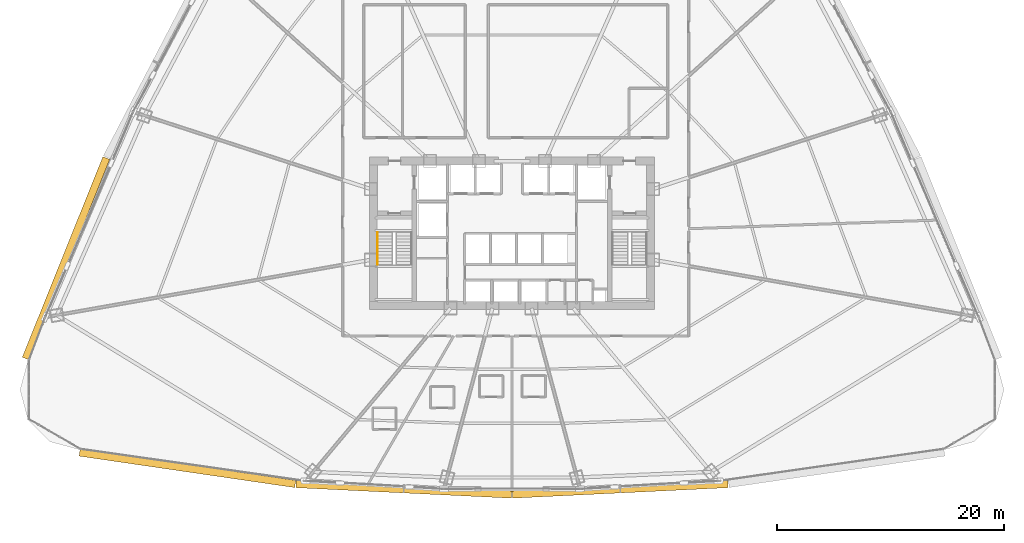
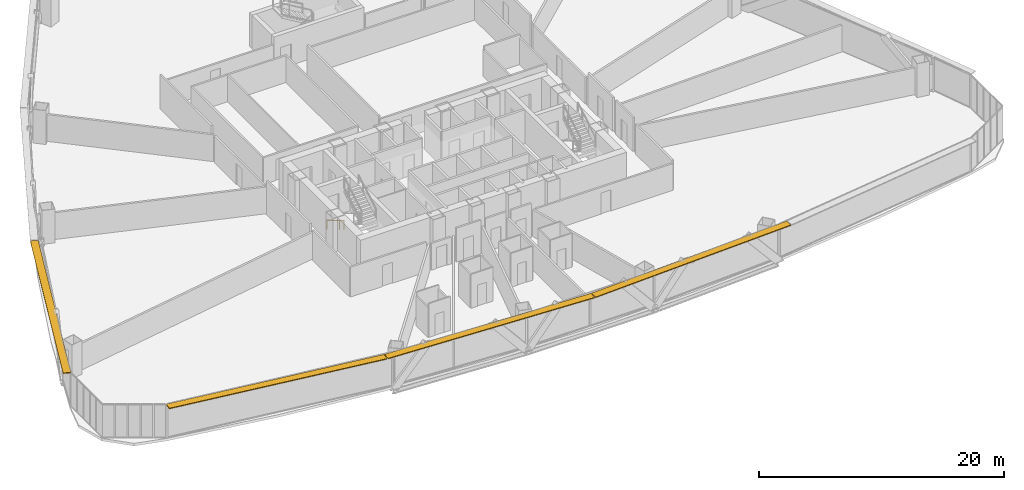
# One storey, part 38 of 41: 4 shading devices, 1 railing.
"""IFC4 building model written with IfcOpenShell, lengths in metres."""

from ifc_helpers import new_model, si_unit, direction, frame, origin, origin_2d, place, context, subcontext, project, spatial, rectangle, extrude, source, transform, mapped, material, layer, layer_set, type_object, element, save


model = new_model("IFC4")

# Units and contexts
model_context = context("Model", 3, precision=1e-05, world=origin(), true_north=direction((0.0, 1.0)))
body_context = subcontext(model_context, "Body", "Model", "MODEL_VIEW")
ifc_project = project(units=[si_unit("LENGTHUNIT", "METRE"), si_unit("AREAUNIT", "SQUARE_METRE"), si_unit("VOLUMEUNIT", "CUBIC_METRE"), si_unit("PLANEANGLEUNIT", "RADIAN"), si_unit("MASSUNIT", "GRAM", prefix="KILO"), si_unit("THERMODYNAMICTEMPERATUREUNIT", "KELVIN"), si_unit("POWERUNIT", "WATT")], contexts=[model_context])

# Site, building, storey
site_placement = place(None, origin())
site = spatial("IfcSite", under=ifc_project, at=site_placement, CompositionType="ELEMENT")
building_placement = place(site_placement, origin())
building = spatial("IfcBuilding", under=site, at=building_placement, Name="Yunzhuo Pagoda Commons", CompositionType="ELEMENT")
storey_placement = place(building_placement, frame((0.0, 0.0, 63.070068359375)))
storey = spatial("IfcBuildingStorey", under=building, at=storey_placement, Name="L16", CompositionType="ELEMENT", Elevation=63.070068359375)

# Railing
ifc_material = material(Name="Anodized aluminium 6063-T6", Category="aluminium")
railing_type = type_object("IfcRailingType", Name="HR-ST1 Stair Handrail 900", PredefinedType="HANDRAIL", material=ifc_material)
railing_placement = place(storey_placement, frame((36.14990234375, 33.89990234375, 0.1650390625)))
element("IfcRailing", 1, at=railing_placement, inside=storey, type_object=railing_type, Name="L16 ST1 stair handrail 1", PredefinedType="HANDRAIL", context=body_context, shape_type="SweptSolid", body=[
    extrude(rectangle(XDim=0.048095703125, YDim=0.048095703125, at=origin_2d()), frame((0.0, 0.0, 0.8759765625), z_axis=(0.0, -0.861536114422, 0.507696290658), x_axis=(1.0, 0.0, 0.0)), (0.0, 0.0, 1.0), 3.249755859375),
    extrude(rectangle(XDim=0.0419921875, YDim=0.0419921875, at=origin_2d()), origin(), (0.0, 0.0, 1.0), 0.851806640625),
    extrude(rectangle(XDim=0.0419921875, YDim=0.0419921875, at=origin_2d()), frame((0.0, -2.067626953125, 1.218505859375)), (0.0, 0.0, 1.0), 0.851806640625),
    extrude(rectangle(XDim=0.0419921875, YDim=0.0419921875, at=origin_2d()), frame((0.0, -2.7998046875, 1.64990234375)), (0.0, 0.0, 1.0), 0.851806640625),
])

# Shading devices
ifc_layer = layer(ifc_material, 0.080078125)
ifc_layer_set = layer_set([ifc_layer], Name="Anodized aluminium 6063-T6")
shading_device_type = type_object("IfcShadingDeviceType", Name="SH-SUN1 Pagoda Horizontal Sunshade Eave 650", PredefinedType="USERDEFINED", material=ifc_layer_set)
shared_shape_1 = source(origin(), body_context, "Body", "SweptSolid", [
    extrude(rectangle(XDim=19.1787109375, YDim=0.64990234375, at=origin_2d()), origin(), (0.0, 0.0, 1.0), 0.080078125),
])
shading_device_1_placement = place(storey_placement, frame((19.439697265625, 13.1708984375, 3.289794921875), z_axis=(0.0, 0.0, 1.0), x_axis=(0.989510666697, -0.144459823108, 0.0)))
element("IfcShadingDevice", 2, at=shading_device_1_placement, inside=storey, type_object=shading_device_type, Name="L16 horizontal pagoda sunshade eave F1.1", ObjectType="SUNSHADE", PredefinedType="USERDEFINED", context=body_context, shape_type="MappedRepresentation", body=[
    mapped(shared_shape_1, transform((0.0, 0.0, 0.0), scale=1.0)),
])
shared_shape_2 = source(origin(), body_context, "Body", "SweptSolid", [
    extrude(rectangle(XDim=18.999755859375, YDim=0.64990234375, at=origin_2d()), origin(), (0.0, 0.0, 1.0), 0.080078125),
])
for number, where, z_axis, x_axis, name in (
    (3, (38.479736328125, 11.31787109375, 3.289794921875), (0.0, 0.0, 1.0), (0.998818043775, -0.04860571396, 0.0), "L16 horizontal pagoda sunshade eave F1.2"),
    (4, (57.520263671875, 11.31787109375, 3.289794921875), (0.0, 0.0, 1.0), (0.998818043775, 0.04860571396, 0.0), "L16 horizontal pagoda sunshade eave F1.3"),
):
    element("IfcShadingDevice", number, at=place(storey_placement, frame(where, z_axis=z_axis, x_axis=x_axis)), inside=storey, type_object=shading_device_type, Name=name, ObjectType="SUNSHADE", PredefinedType="USERDEFINED", context=body_context, shape_type="MappedRepresentation", body=[
        mapped(shared_shape_2, transform((0.0, 0.0, 0.0), scale=1.0)),
    ])
shared_shape_3 = source(origin(), body_context, "Body", "SweptSolid", [
    extrude(rectangle(XDim=19.0244140625, YDim=0.64990234375, at=origin_2d()), origin(), (0.0, 0.0, 1.0), 0.080078125),
])
shading_device_2_placement = place(storey_placement, frame((8.755615234375, 31.642333984375, 3.289794921875), z_axis=(0.0, 0.0, 1.0), x_axis=(-0.372987782576, -0.927836253899, 0.0)))
element("IfcShadingDevice", 5, at=shading_device_2_placement, inside=storey, type_object=shading_device_type, Name="L16 horizontal pagoda sunshade eave F3.4", ObjectType="SUNSHADE", PredefinedType="USERDEFINED", context=body_context, shape_type="MappedRepresentation", body=[
    mapped(shared_shape_3, transform((0.0, 0.0, 0.0), scale=1.0)),
])

save(model, "model.ifc")
